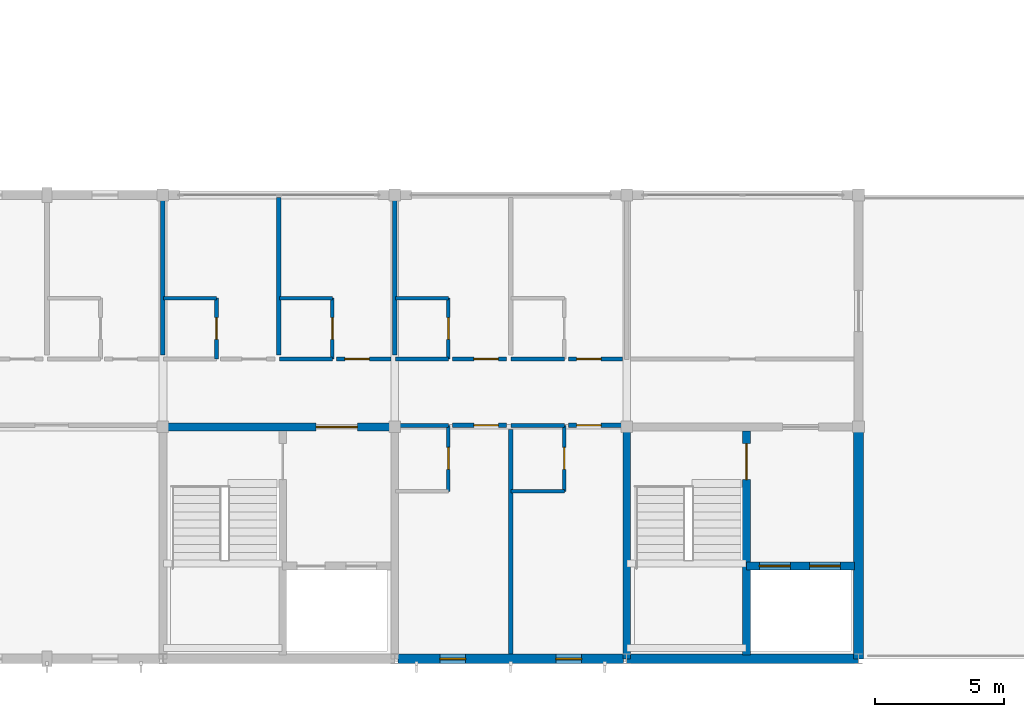
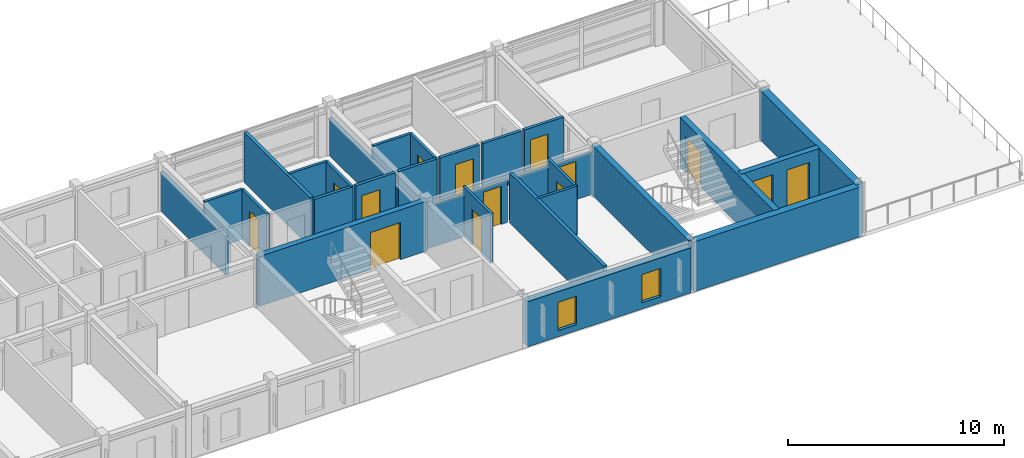
# One storey, part 13 of 24: 30 walls, 14 doors, 2 windows, 16 openings.
"""IFC4 building model written with IfcOpenShell, lengths in metres."""

from ifc_helpers import new_model, si_unit, direction, frame, frame_2d, origin, place, context, subcontext, project, spatial, rectangle, extrude, material, layer, layer_set, type_object, element, fill, save


model = new_model("IFC4")

# Units and contexts
model_context = context("Model", 3, precision=1e-05, world=origin(), true_north=direction((0.0, 1.0)))
body_context = subcontext(model_context, "Body", "Model", "MODEL_VIEW")
ifc_project = project(units=[si_unit("LENGTHUNIT", "METRE"), si_unit("AREAUNIT", "SQUARE_METRE"), si_unit("VOLUMEUNIT", "CUBIC_METRE"), si_unit("PLANEANGLEUNIT", "RADIAN"), si_unit("MASSUNIT", "GRAM", prefix="KILO")], contexts=[model_context])

# Site, building, storey
site_placement = place(None, origin())
site = spatial("IfcSite", under=ifc_project, at=site_placement, CompositionType="ELEMENT")
building_placement = place(site_placement, origin())
building = spatial("IfcBuilding", under=site, at=building_placement, Name="Palais des Congres Ocreval", CompositionType="ELEMENT")
storey_placement = place(building_placement, frame((0.0, 0.0, 17.60009765625)))
storey = spatial("IfcBuildingStorey", under=building, at=storey_placement, Name="L05", CompositionType="ELEMENT", Elevation=17.60009765625)

# Wall, opening, door
ifc_material_1 = material(Name="Moisture-resistant gypsum board")
ifc_layer_1 = layer(ifc_material_1, 0.139892578125)
ifc_layer_set_1 = layer_set([ifc_layer_1], Name="Bathroom Plumbing Chase Wall 140 Gypsum (Moisture-resistant gypsum board)")
wall_type_1 = type_object("IfcWallType", Name="Bathroom Plumbing Chase Wall 140 Gypsum", PredefinedType="PLUMBINGWALL", material=ifc_layer_set_1)
wall_1_placement = place(storey_placement, frame((47.080078125, 6.5, 0.0), z_axis=(0.0, 0.0, 1.0), x_axis=(0.0, 1.0, 0.0)))
wall_1 = element("IfcWall", 1, at=wall_1_placement, inside=storey, type_object=wall_type_1, Name="Bathroom Plumbing Wall PW03 L05", PredefinedType="PLUMBINGWALL", context=body_context, shape_type="SweptSolid", body=[
    extrude(rectangle(XDim=2.56005859375, YDim=0.139892578125, at=frame_2d((1.280029296875, 0.0))), origin(), (0.0, 0.0, 1.0), 2.81982421875),
])
opening_1_placement = place(wall_1_placement, frame((0.85498046875, 0.0, 0.0)))
opening_1 = element("IfcOpeningElement", 2, at=opening_1_placement, cuts=wall_1, Name="Opening D08", PredefinedType="OPENING", context=body_context, shape_type="SweptSolid", body=[
    extrude(rectangle(XDim=0.85009765625, YDim=2.0400390625, at=frame_2d((0.425048828125, 1.02001953125))), frame((0.0, 0.079833984375, 0.0), z_axis=(0.0, -1.0, 0.0), x_axis=(1.0, 0.0, 0.0)), (0.0, 0.0, 1.0), 0.159912109375),
])
ifc_material_2 = material(Name="Solid French oak", Category="wood")
door_type_1 = type_object("IfcDoorType", Name="En-Suite Bathroom Door 850x2040", OperationType="NOTDEFINED", PredefinedType="DOOR", material=ifc_material_2)
door_1_placement = place(opening_1_placement, origin())
door_1 = element("IfcDoor", 3, at=door_1_placement, inside=storey, type_object=door_type_1, Name="En-Suite Bathroom Door D08 L05", OperationType="SINGLE_SWING_LEFT", OverallHeight=2.0400390625, OverallWidth=0.85009765625, PredefinedType="DOOR", context=body_context, shape_type="SweptSolid", body=[
    extrude(rectangle(XDim=0.85009765625, YDim=2.0400390625, at=frame_2d((0.425048828125, 1.02001953125))), frame((0.0, 0.02490234375, 0.0), z_axis=(0.0, -1.0, 0.0), x_axis=(1.0, 0.0, 0.0)), (0.0, 0.0, 1.0), 0.050048828125),
])
fill(opening_1, door_1)

wall_2_placement = place(storey_placement, frame((51.580078125, 6.5, 0.0), z_axis=(0.0, 0.0, 1.0), x_axis=(0.0, 1.0, 0.0)))
wall_2 = element("IfcWall", 4, at=wall_2_placement, inside=storey, type_object=wall_type_1, Name="Bathroom Plumbing Wall PW03 L05", PredefinedType="PLUMBINGWALL", context=body_context, shape_type="SweptSolid", body=[
    extrude(rectangle(XDim=2.56005859375, YDim=0.139892578125, at=frame_2d((1.280029296875, 0.0))), origin(), (0.0, 0.0, 1.0), 2.81982421875),
])
opening_2_placement = place(wall_2_placement, frame((0.85498046875, 0.0, 0.0)))
opening_2 = element("IfcOpeningElement", 5, at=opening_2_placement, cuts=wall_2, Name="Opening D08", PredefinedType="OPENING", context=body_context, shape_type="SweptSolid", body=[
    extrude(rectangle(XDim=0.85009765625, YDim=2.0400390625, at=frame_2d((0.425048828125, 1.02001953125))), frame((0.0, 0.079833984375, 0.0), z_axis=(0.0, -1.0, 0.0), x_axis=(1.0, 0.0, 0.0)), (0.0, 0.0, 1.0), 0.159912109375),
])
door_2_placement = place(opening_2_placement, origin())
door_2 = element("IfcDoor", 6, at=door_2_placement, inside=storey, type_object=door_type_1, Name="En-Suite Bathroom Door D08 L05", OperationType="SINGLE_SWING_RIGHT", OverallHeight=2.0400390625, OverallWidth=0.85009765625, PredefinedType="DOOR", context=body_context, shape_type="SweptSolid", body=[
    extrude(rectangle(XDim=0.85009765625, YDim=2.0400390625, at=frame_2d((0.425048828125, 1.02001953125))), frame((0.0, 0.02490234375, 0.0), z_axis=(0.0, -1.0, 0.0), x_axis=(1.0, 0.0, 0.0)), (0.0, 0.0, 1.0), 0.050048828125),
])
fill(opening_2, door_2)

# Wall
wall_3_placement = place(storey_placement, frame((49.52001953125, 6.5, 0.0), z_axis=(0.0, 0.0, 1.0), x_axis=(1.0, 0.0, 0.0)))
element("IfcWall", 7, at=wall_3_placement, inside=storey, type_object=wall_type_1, Name="Bathroom Plumbing Wall PW03 L05", PredefinedType="PLUMBINGWALL", context=body_context, shape_type="SweptSolid", body=[
    extrude(rectangle(XDim=2.06005859375, YDim=0.139892578125, at=frame_2d((1.030029296875, 0.0))), origin(), (0.0, 0.0, 1.0), 2.81982421875),
])

# Wall, opening, door
wall_4_placement = place(storey_placement, frame((38.080078125, 11.639892578125, 0.0), z_axis=(0.0, 0.0, 1.0), x_axis=(0.0, 1.0, 0.0)))
wall_4 = element("IfcWall", 8, at=wall_4_placement, inside=storey, type_object=wall_type_1, Name="Bathroom Plumbing Wall PW03 L05", PredefinedType="PLUMBINGWALL", context=body_context, shape_type="SweptSolid", body=[
    extrude(rectangle(XDim=2.360107421875, YDim=0.139892578125, at=frame_2d((1.18017578125, 0.0))), origin(), (0.0, 0.0, 1.0), 2.81982421875),
])
opening_3_placement = place(wall_4_placement, frame((0.7548828125, 0.0, 0.0)))
opening_3 = element("IfcOpeningElement", 9, at=opening_3_placement, cuts=wall_4, Name="Opening D08", PredefinedType="OPENING", context=body_context, shape_type="SweptSolid", body=[
    extrude(rectangle(XDim=0.85009765625, YDim=2.0400390625, at=frame_2d((0.425048828125, 1.02001953125))), frame((0.0, 0.079833984375, 0.0), z_axis=(0.0, -1.0, 0.0), x_axis=(1.0, 0.0, 0.0)), (0.0, 0.0, 1.0), 0.159912109375),
])
door_3_placement = place(opening_3_placement, origin())
door_3 = element("IfcDoor", 10, at=door_3_placement, inside=storey, type_object=door_type_1, Name="En-Suite Bathroom Door D08 L05", OperationType="SINGLE_SWING_LEFT", OverallHeight=2.0400390625, OverallWidth=0.85009765625, PredefinedType="DOOR", context=body_context, shape_type="SweptSolid", body=[
    extrude(rectangle(XDim=0.85009765625, YDim=2.0400390625, at=frame_2d((0.425048828125, 1.02001953125))), frame((0.0, 0.02490234375, 0.0), z_axis=(0.0, -1.0, 0.0), x_axis=(1.0, 0.0, 0.0)), (0.0, 0.0, 1.0), 0.050048828125),
])
fill(opening_3, door_3)

# Wall
wall_5_placement = place(storey_placement, frame((36.02001953125, 14.0, 0.0), z_axis=(0.0, 0.0, 1.0), x_axis=(1.0, 0.0, 0.0)))
element("IfcWall", 11, at=wall_5_placement, inside=storey, type_object=wall_type_1, Name="Bathroom Plumbing Wall PW03 L05", PredefinedType="PLUMBINGWALL", context=body_context, shape_type="SweptSolid", body=[
    extrude(rectangle(XDim=2.06005859375, YDim=0.139892578125, at=frame_2d((1.030029296875, 0.0))), origin(), (0.0, 0.0, 1.0), 2.81982421875),
])

# Wall, opening, door
wall_6_placement = place(storey_placement, frame((42.580078125, 11.639892578125, 0.0), z_axis=(0.0, 0.0, 1.0), x_axis=(0.0, 1.0, 0.0)))
wall_6 = element("IfcWall", 12, at=wall_6_placement, inside=storey, type_object=wall_type_1, Name="Bathroom Plumbing Wall PW03 L05", PredefinedType="PLUMBINGWALL", context=body_context, shape_type="SweptSolid", body=[
    extrude(rectangle(XDim=2.360107421875, YDim=0.139892578125, at=frame_2d((1.18017578125, 0.0))), origin(), (0.0, 0.0, 1.0), 2.81982421875),
])
opening_4_placement = place(wall_6_placement, frame((0.7548828125, 0.0, 0.0)))
opening_4 = element("IfcOpeningElement", 13, at=opening_4_placement, cuts=wall_6, Name="Opening D08", PredefinedType="OPENING", context=body_context, shape_type="SweptSolid", body=[
    extrude(rectangle(XDim=0.85009765625, YDim=2.0400390625, at=frame_2d((0.425048828125, 1.02001953125))), frame((0.0, 0.079833984375, 0.0), z_axis=(0.0, -1.0, 0.0), x_axis=(1.0, 0.0, 0.0)), (0.0, 0.0, 1.0), 0.159912109375),
])
door_4_placement = place(opening_4_placement, origin())
door_4 = element("IfcDoor", 14, at=door_4_placement, inside=storey, type_object=door_type_1, Name="En-Suite Bathroom Door D08 L05", OperationType="SINGLE_SWING_RIGHT", OverallHeight=2.0400390625, OverallWidth=0.85009765625, PredefinedType="DOOR", context=body_context, shape_type="SweptSolid", body=[
    extrude(rectangle(XDim=0.85009765625, YDim=2.0400390625, at=frame_2d((0.425048828125, 1.02001953125))), frame((0.0, 0.02490234375, 0.0), z_axis=(0.0, -1.0, 0.0), x_axis=(1.0, 0.0, 0.0)), (0.0, 0.0, 1.0), 0.050048828125),
])
fill(opening_4, door_4)

# Wall
wall_7_placement = place(storey_placement, frame((40.52001953125, 14.0, 0.0), z_axis=(0.0, 0.0, 1.0), x_axis=(1.0, 0.0, 0.0)))
element("IfcWall", 15, at=wall_7_placement, inside=storey, type_object=wall_type_1, Name="Bathroom Plumbing Wall PW03 L05", PredefinedType="PLUMBINGWALL", context=body_context, shape_type="SweptSolid", body=[
    extrude(rectangle(XDim=2.06005859375, YDim=0.139892578125, at=frame_2d((1.030029296875, 0.0))), origin(), (0.0, 0.0, 1.0), 2.81982421875),
])

# Wall, opening, door
wall_8_placement = place(storey_placement, frame((47.080078125, 11.639892578125, 0.0), z_axis=(0.0, 0.0, 1.0), x_axis=(0.0, 1.0, 0.0)))
wall_8 = element("IfcWall", 16, at=wall_8_placement, inside=storey, type_object=wall_type_1, Name="Bathroom Plumbing Wall PW03 L05", PredefinedType="PLUMBINGWALL", context=body_context, shape_type="SweptSolid", body=[
    extrude(rectangle(XDim=2.360107421875, YDim=0.139892578125, at=frame_2d((1.18017578125, 0.0))), origin(), (0.0, 0.0, 1.0), 2.81982421875),
])
opening_5_placement = place(wall_8_placement, frame((0.7548828125, 0.0, 0.0)))
opening_5 = element("IfcOpeningElement", 17, at=opening_5_placement, cuts=wall_8, Name="Opening D08", PredefinedType="OPENING", context=body_context, shape_type="SweptSolid", body=[
    extrude(rectangle(XDim=0.85009765625, YDim=2.0400390625, at=frame_2d((0.425048828125, 1.02001953125))), frame((0.0, 0.079833984375, 0.0), z_axis=(0.0, -1.0, 0.0), x_axis=(1.0, 0.0, 0.0)), (0.0, 0.0, 1.0), 0.159912109375),
])
door_5_placement = place(opening_5_placement, origin())
door_5 = element("IfcDoor", 18, at=door_5_placement, inside=storey, type_object=door_type_1, Name="En-Suite Bathroom Door D08 L05", OperationType="SINGLE_SWING_LEFT", OverallHeight=2.0400390625, OverallWidth=0.85009765625, PredefinedType="DOOR", context=body_context, shape_type="SweptSolid", body=[
    extrude(rectangle(XDim=0.85009765625, YDim=2.0400390625, at=frame_2d((0.425048828125, 1.02001953125))), frame((0.0, 0.02490234375, 0.0), z_axis=(0.0, -1.0, 0.0), x_axis=(1.0, 0.0, 0.0)), (0.0, 0.0, 1.0), 0.050048828125),
])
fill(opening_5, door_5)

# Wall
wall_9_placement = place(storey_placement, frame((45.02001953125, 14.0, 0.0), z_axis=(0.0, 0.0, 1.0), x_axis=(1.0, 0.0, 0.0)))
element("IfcWall", 19, at=wall_9_placement, inside=storey, type_object=wall_type_1, Name="Bathroom Plumbing Wall PW03 L05", PredefinedType="PLUMBINGWALL", context=body_context, shape_type="SweptSolid", body=[
    extrude(rectangle(XDim=2.06005859375, YDim=0.139892578125, at=frame_2d((1.030029296875, 0.0))), origin(), (0.0, 0.0, 1.0), 2.81982421875),
])

# Wall, opening, door
ifc_material_3 = material(Name="Concrete C40/50", Category="concrete")
ifc_layer_2 = layer(ifc_material_3, 0.300048828125)
ifc_layer_set_2 = layer_set([ifc_layer_2], Name="Core Shear Wall 300 Concrete C40/50")
wall_type_2 = type_object("IfcWallType", Name="Core Shear Wall 300 Concrete C40/50", PredefinedType="SHEAR", material=ifc_layer_set_2)
wall_10_placement = place(storey_placement, frame((36.0, 9.0, 0.0), z_axis=(0.0, 0.0, 1.0), x_axis=(1.0, 0.0, 0.0)))
wall_10 = element("IfcWall", 20, at=wall_10_placement, inside=storey, type_object=wall_type_2, Name="Core Shear Wall SC02 L05 N", PredefinedType="SHEAR", context=body_context, shape_type="SweptSolid", body=[
    extrude(rectangle(XDim=9.0, YDim=0.300048828125, at=frame_2d((4.5, 0.0))), origin(), (0.0, 0.0, 1.0), 2.81982421875),
])
opening_6_placement = place(wall_10_placement, frame((5.949951171875, 0.0, 0.0)))
opening_6 = element("IfcOpeningElement", 21, at=opening_6_placement, cuts=wall_10, Name="Opening D02", PredefinedType="OPENING", context=body_context, shape_type="SweptSolid", body=[
    extrude(rectangle(XDim=1.60009765625, YDim=2.10009765625, at=frame_2d((0.800048828125, 1.050048828125))), frame((0.0, 0.159912109375, 0.0), z_axis=(0.0, -1.0, 0.0), x_axis=(1.0, 0.0, 0.0)), (0.0, 0.0, 1.0), 0.320068359375),
])
ifc_material_4 = material(Name="Painted fire-rated steel", Category="steel")
door_type_2 = type_object("IfcDoorType", Name="Firefighting Lobby Rated Door 1600x2100", OperationType="NOTDEFINED", PredefinedType="DOOR", material=ifc_material_4)
door_6_placement = place(opening_6_placement, origin())
door_6 = element("IfcDoor", 22, at=door_6_placement, inside=storey, type_object=door_type_2, Name="Firefighting Lobby Entrance Door SC02 L05", OperationType="DOUBLE_DOOR_SINGLE_SWING", OverallHeight=2.10009765625, OverallWidth=1.60009765625, PredefinedType="DOOR", context=body_context, shape_type="SweptSolid", body=[
    extrude(rectangle(XDim=1.60009765625, YDim=2.10009765625, at=frame_2d((0.800048828125, 1.050048828125))), frame((0.0, 0.02490234375, 0.0), z_axis=(0.0, -1.0, 0.0), x_axis=(1.0, 0.0, 0.0)), (0.0, 0.0, 1.0), 0.050048828125),
])
fill(opening_6, door_6)

# Wall
wall_11_placement = place(storey_placement, frame((54.0, 0.0, 0.0), z_axis=(0.0, 0.0, 1.0), x_axis=(0.0, 1.0, 0.0)))
element("IfcWall", 23, at=wall_11_placement, inside=storey, type_object=wall_type_2, Name="Core Shear Wall SC04 L05 W", PredefinedType="SHEAR", context=body_context, shape_type="SweptSolid", body=[
    extrude(rectangle(XDim=9.0, YDim=0.300048828125, at=frame_2d((4.5, 0.0))), origin(), (0.0, 0.0, 1.0), 2.81982421875),
])

# Wall, opening, door
wall_12_placement = place(storey_placement, frame((58.64990234375, 0.14990234375, 0.0), z_axis=(0.0, 0.0, 1.0), x_axis=(0.0, 1.0, 0.0)))
wall_12 = element("IfcWall", 24, at=wall_12_placement, inside=storey, type_object=wall_type_2, Name="Core Spine Shear Wall SC04 L05", PredefinedType="SHEAR", context=body_context, shape_type="SweptSolid", body=[
    extrude(rectangle(XDim=8.7001953125, YDim=0.300048828125, at=frame_2d((4.35009765625, 0.0))), origin(), (0.0, 0.0, 1.0), 2.81982421875),
])
opening_7_placement = place(wall_12_placement, frame((6.800048828125, 0.0, 0.0)))
opening_7 = element("IfcOpeningElement", 25, at=opening_7_placement, cuts=wall_12, Name="Opening D03", PredefinedType="OPENING", context=body_context, shape_type="SweptSolid", body=[
    extrude(rectangle(XDim=1.39990234375, YDim=2.02001953125, at=frame_2d((0.699951171875, 1.010009765625))), frame((0.0, 0.159912109375, 0.0), z_axis=(0.0, -1.0, 0.0), x_axis=(1.0, 0.0, 0.0)), (0.0, 0.0, 1.0), 0.320068359375),
])
door_type_3 = type_object("IfcDoorType", Name="Core Lobby Rated Door 1400x2020", OperationType="NOTDEFINED", PredefinedType="DOOR", material=ifc_material_4)
door_7_placement = place(opening_7_placement, origin())
door_7 = element("IfcDoor", 26, at=door_7_placement, inside=storey, type_object=door_type_3, Name="Protected Exit Stair Door ST04 L05", OperationType="SINGLE_SWING_RIGHT", OverallHeight=2.02001953125, OverallWidth=1.39990234375, PredefinedType="DOOR", context=body_context, shape_type="SweptSolid", body=[
    extrude(rectangle(XDim=1.39990234375, YDim=2.02001953125, at=frame_2d((0.699951171875, 1.010009765625))), frame((0.0, 0.02490234375, 0.0), z_axis=(0.0, -1.0, 0.0), x_axis=(1.0, 0.0, 0.0)), (0.0, 0.0, 1.0), 0.050048828125),
])
fill(opening_7, door_7)

# Wall, openings, doors
wall_13_placement = place(storey_placement, frame((58.64990234375, 3.60009765625, 0.0), z_axis=(0.0, 0.0, 1.0), x_axis=(1.0, 0.0, 0.0)))
wall_13 = element("IfcWall", 27, at=wall_13_placement, inside=storey, type_object=wall_type_2, Name="Lift Shaft Front Wall SC04 L05", PredefinedType="SHEAR", context=body_context, shape_type="SweptSolid", body=[
    extrude(rectangle(XDim=4.2001953125, YDim=0.300048828125, at=frame_2d((2.10009765625, 0.0))), origin(), (0.0, 0.0, 1.0), 2.81982421875),
])
opening_8_placement = place(wall_13_placement, frame((0.5, 0.0, 0.0)))
opening_8 = element("IfcOpeningElement", 28, at=opening_8_placement, cuts=wall_13, Name="Opening LD02", PredefinedType="OPENING", context=body_context, shape_type="SweptSolid", body=[
    extrude(rectangle(XDim=1.199951171875, YDim=2.199951171875, at=frame_2d((0.60009765625, 1.10009765625))), frame((0.0, 0.159912109375, 0.0), z_axis=(0.0, -1.0, 0.0), x_axis=(1.0, 0.0, 0.0)), (0.0, 0.0, 1.0), 0.320068359375),
])
opening_9_placement = place(wall_13_placement, frame((2.449951171875, 0.0, 0.0)))
opening_9 = element("IfcOpeningElement", 29, at=opening_9_placement, cuts=wall_13, Name="Opening LD02", PredefinedType="OPENING", context=body_context, shape_type="SweptSolid", body=[
    extrude(rectangle(XDim=1.199951171875, YDim=2.199951171875, at=frame_2d((0.60009765625, 1.10009765625))), frame((0.0, 0.159912109375, 0.0), z_axis=(0.0, -1.0, 0.0), x_axis=(1.0, 0.0, 0.0)), (0.0, 0.0, 1.0), 0.320068359375),
])
ifc_material_5 = material(Name="Anodized bronze steel", Category="steel")
door_type_4 = type_object("IfcDoorType", Name="Passenger and Service Lift Sliding Door 1200x2200", OperationType="NOTDEFINED", PredefinedType="DOOR", material=ifc_material_5)
door_8_placement = place(opening_8_placement, origin())
door_8 = element("IfcDoor", 30, at=door_8_placement, inside=storey, type_object=door_type_4, Name="Lift Landing Sliding Door PL4 L05", OperationType="DOUBLE_DOOR_SLIDING", OverallHeight=2.199951171875, OverallWidth=1.199951171875, PredefinedType="DOOR", context=body_context, shape_type="SweptSolid", body=[
    extrude(rectangle(XDim=1.199951171875, YDim=2.199951171875, at=frame_2d((0.60009765625, 1.10009765625))), frame((0.0, 0.02490234375, 0.0), z_axis=(0.0, -1.0, 0.0), x_axis=(1.0, 0.0, 0.0)), (0.0, 0.0, 1.0), 0.050048828125),
])
fill(opening_8, door_8)
door_9_placement = place(opening_9_placement, origin())
door_9 = element("IfcDoor", 31, at=door_9_placement, inside=storey, type_object=door_type_4, Name="Lift Landing Sliding Door BL1 L05", OperationType="DOUBLE_DOOR_SLIDING", OverallHeight=2.199951171875, OverallWidth=1.199951171875, PredefinedType="DOOR", context=body_context, shape_type="SweptSolid", body=[
    extrude(rectangle(XDim=1.199951171875, YDim=2.199951171875, at=frame_2d((0.60009765625, 1.10009765625))), frame((0.0, 0.02490234375, 0.0), z_axis=(0.0, -1.0, 0.0), x_axis=(1.0, 0.0, 0.0)), (0.0, 0.0, 1.0), 0.050048828125),
])
fill(opening_9, door_9)

# Walls
ifc_material_6 = material(Name="Gypsum acoustic partition")
ifc_layer_3 = layer(ifc_material_6, 0.159912109375)
ifc_layer_set_3 = layer_set([ifc_layer_3], Name="Corridor Fire Partition 160 Gypsum (Gypsum acoustic partition)")
wall_type_3 = type_object("IfcWallType", Name="Corridor Fire Partition 160 Gypsum", PredefinedType="PARTITIONING", material=ifc_layer_set_3)
for number, where, z_axis, x_axis, name in (
    (32, (45.02001953125, 9.06005859375, 0.0), (0.0, 0.0, 1.0), (1.0, 0.0, 0.0), "Corridor Partition IW03 L05"),
    (33, (49.52001953125, 9.06005859375, 0.0), (0.0, 0.0, 1.0), (1.0, 0.0, 0.0), "Corridor Partition IW03 L05"),
):
    element("IfcWall", number, at=place(storey_placement, frame(where, z_axis=z_axis, x_axis=x_axis)), inside=storey, type_object=wall_type_3, Name=name, PredefinedType="PARTITIONING", context=body_context, shape_type="SweptSolid", body=[
        extrude(rectangle(XDim=2.06005859375, YDim=0.159912109375, at=frame_2d((1.030029296875, 0.0))), origin(), (0.0, 0.0, 1.0), 2.3798828125),
    ])
for number, where, z_axis, x_axis, name in (
    (34, (40.52001953125, 11.639892578125, 0.0), (0.0, 0.0, 1.0), (1.0, 0.0, 0.0), "Corridor Partition IW03 L05"),
    (35, (45.02001953125, 11.639892578125, 0.0), (0.0, 0.0, 1.0), (1.0, 0.0, 0.0), "Corridor Partition IW03 L05"),
    (36, (49.52001953125, 11.639892578125, 0.0), (0.0, 0.0, 1.0), (1.0, 0.0, 0.0), "Corridor Partition IW03 L05"),
):
    element("IfcWall", number, at=place(storey_placement, frame(where, z_axis=z_axis, x_axis=x_axis)), inside=storey, type_object=wall_type_3, Name=name, PredefinedType="PARTITIONING", context=body_context, shape_type="SweptSolid", body=[
        extrude(rectangle(XDim=2.06005859375, YDim=0.159912109375, at=frame_2d((1.030029296875, 0.0))), origin(), (0.0, 0.0, 1.0), 2.81982421875),
    ])

# Wall, opening, door
wall_14_placement = place(storey_placement, frame((47.235107421875, 9.06494140625, 0.0), z_axis=(0.0, 0.0, 1.0), x_axis=(1.0, 0.0, 0.0)))
wall_14 = element("IfcWall", 37, at=wall_14_placement, inside=storey, type_object=wall_type_3, Name="Interior Partition IW03 L05", PredefinedType="PARTITIONING", context=body_context, shape_type="SweptSolid", body=[
    extrude(rectangle(XDim=2.10986328125, YDim=0.159912109375, at=frame_2d((1.054931640625, 0.0))), origin(), (0.0, 0.0, 1.0), 2.3798828125),
])
opening_10_placement = place(wall_14_placement, frame((0.833251953125, 0.0, 0.0)))
opening_10 = element("IfcOpeningElement", 38, at=opening_10_placement, cuts=wall_14, Name="Opening D05", PredefinedType="OPENING", context=body_context, shape_type="SweptSolid", body=[
    extrude(rectangle(XDim=0.949951171875, YDim=2.14990234375, at=frame_2d((0.47509765625, 1.074951171875))), frame((0.0, 0.08984375, 0.0), z_axis=(0.0, -1.0, 0.0), x_axis=(1.0, 0.0, 0.0)), (0.0, 0.0, 1.0), 0.179931640625),
])
door_type_5 = type_object("IfcDoorType", Name="Hotel Guestroom Entrance Door 950x2150", OperationType="NOTDEFINED", PredefinedType="DOOR", material=ifc_material_2)
door_10_placement = place(opening_10_placement, origin())
door_10 = element("IfcDoor", 39, at=door_10_placement, inside=storey, type_object=door_type_5, Name="Interior Door D05 L05", OperationType="SINGLE_SWING_LEFT", OverallHeight=2.14990234375, OverallWidth=0.949951171875, PredefinedType="DOOR", context=body_context, shape_type="SweptSolid", body=[
    extrude(rectangle(XDim=0.949951171875, YDim=2.14990234375, at=frame_2d((0.47509765625, 1.074951171875))), frame((0.0, 0.02490234375, 0.0), z_axis=(0.0, -1.0, 0.0), x_axis=(1.0, 0.0, 0.0)), (0.0, 0.0, 1.0), 0.050048828125),
])
fill(opening_10, door_10)

wall_15_placement = place(storey_placement, frame((51.735107421875, 9.06494140625, 0.0), z_axis=(0.0, 0.0, 1.0), x_axis=(1.0, 0.0, 0.0)))
wall_15 = element("IfcWall", 40, at=wall_15_placement, inside=storey, type_object=wall_type_3, Name="Interior Partition IW03 L05", PredefinedType="PARTITIONING", context=body_context, shape_type="SweptSolid", body=[
    extrude(rectangle(XDim=2.10986328125, YDim=0.159912109375, at=frame_2d((1.054931640625, 0.0))), origin(), (0.0, 0.0, 1.0), 2.3798828125),
])
opening_11_placement = place(wall_15_placement, frame((0.326904296875, 0.0, 0.0)))
opening_11 = element("IfcOpeningElement", 41, at=opening_11_placement, cuts=wall_15, Name="Opening D05", PredefinedType="OPENING", context=body_context, shape_type="SweptSolid", body=[
    extrude(rectangle(XDim=0.949951171875, YDim=2.14990234375, at=frame_2d((0.47509765625, 1.074951171875))), frame((0.0, 0.08984375, 0.0), z_axis=(0.0, -1.0, 0.0), x_axis=(1.0, 0.0, 0.0)), (0.0, 0.0, 1.0), 0.179931640625),
])
door_11_placement = place(opening_11_placement, origin())
door_11 = element("IfcDoor", 42, at=door_11_placement, inside=storey, type_object=door_type_5, Name="Interior Door D05 L05", OperationType="SINGLE_SWING_RIGHT", OverallHeight=2.14990234375, OverallWidth=0.949951171875, PredefinedType="DOOR", context=body_context, shape_type="SweptSolid", body=[
    extrude(rectangle(XDim=0.949951171875, YDim=2.14990234375, at=frame_2d((0.47509765625, 1.074951171875))), frame((0.0, 0.02490234375, 0.0), z_axis=(0.0, -1.0, 0.0), x_axis=(1.0, 0.0, 0.0)), (0.0, 0.0, 1.0), 0.050048828125),
])
fill(opening_11, door_11)

wall_16_placement = place(storey_placement, frame((42.735107421875, 11.635009765625, 0.0), z_axis=(0.0, 0.0, 1.0), x_axis=(1.0, 0.0, 0.0)))
wall_16 = element("IfcWall", 43, at=wall_16_placement, inside=storey, type_object=wall_type_3, Name="Interior Partition IW03 L05", PredefinedType="PARTITIONING", context=body_context, shape_type="SweptSolid", body=[
    extrude(rectangle(XDim=2.10986328125, YDim=0.159912109375, at=frame_2d((1.054931640625, 0.0))), origin(), (0.0, 0.0, 1.0), 2.81982421875),
])
opening_12_placement = place(wall_16_placement, frame((0.326904296875, 0.0, 0.0)))
opening_12 = element("IfcOpeningElement", 44, at=opening_12_placement, cuts=wall_16, Name="Opening D05", PredefinedType="OPENING", context=body_context, shape_type="SweptSolid", body=[
    extrude(rectangle(XDim=0.949951171875, YDim=2.14990234375, at=frame_2d((0.47509765625, 1.074951171875))), frame((0.0, 0.08984375, 0.0), z_axis=(0.0, -1.0, 0.0), x_axis=(1.0, 0.0, 0.0)), (0.0, 0.0, 1.0), 0.179931640625),
])
door_12_placement = place(opening_12_placement, origin())
door_12 = element("IfcDoor", 45, at=door_12_placement, inside=storey, type_object=door_type_5, Name="Interior Door D05 L05", OperationType="SINGLE_SWING_LEFT", OverallHeight=2.14990234375, OverallWidth=0.949951171875, PredefinedType="DOOR", context=body_context, shape_type="SweptSolid", body=[
    extrude(rectangle(XDim=0.949951171875, YDim=2.14990234375, at=frame_2d((0.47509765625, 1.074951171875))), frame((0.0, 0.02490234375, 0.0), z_axis=(0.0, -1.0, 0.0), x_axis=(1.0, 0.0, 0.0)), (0.0, 0.0, 1.0), 0.050048828125),
])
fill(opening_12, door_12)

wall_17_placement = place(storey_placement, frame((47.235107421875, 11.635009765625, 0.0), z_axis=(0.0, 0.0, 1.0), x_axis=(1.0, 0.0, 0.0)))
wall_17 = element("IfcWall", 46, at=wall_17_placement, inside=storey, type_object=wall_type_3, Name="Interior Partition IW03 L05", PredefinedType="PARTITIONING", context=body_context, shape_type="SweptSolid", body=[
    extrude(rectangle(XDim=2.10986328125, YDim=0.159912109375, at=frame_2d((1.054931640625, 0.0))), origin(), (0.0, 0.0, 1.0), 2.81982421875),
])
opening_13_placement = place(wall_17_placement, frame((0.833251953125, 0.0, 0.0)))
opening_13 = element("IfcOpeningElement", 47, at=opening_13_placement, cuts=wall_17, Name="Opening D05", PredefinedType="OPENING", context=body_context, shape_type="SweptSolid", body=[
    extrude(rectangle(XDim=0.949951171875, YDim=2.14990234375, at=frame_2d((0.47509765625, 1.074951171875))), frame((0.0, 0.08984375, 0.0), z_axis=(0.0, -1.0, 0.0), x_axis=(1.0, 0.0, 0.0)), (0.0, 0.0, 1.0), 0.179931640625),
])
door_13_placement = place(opening_13_placement, origin())
door_13 = element("IfcDoor", 48, at=door_13_placement, inside=storey, type_object=door_type_5, Name="Interior Door D05 L05", OperationType="SINGLE_SWING_RIGHT", OverallHeight=2.14990234375, OverallWidth=0.949951171875, PredefinedType="DOOR", context=body_context, shape_type="SweptSolid", body=[
    extrude(rectangle(XDim=0.949951171875, YDim=2.14990234375, at=frame_2d((0.47509765625, 1.074951171875))), frame((0.0, 0.02490234375, 0.0), z_axis=(0.0, -1.0, 0.0), x_axis=(1.0, 0.0, 0.0)), (0.0, 0.0, 1.0), 0.050048828125),
])
fill(opening_13, door_13)

wall_18_placement = place(storey_placement, frame((51.735107421875, 11.635009765625, 0.0), z_axis=(0.0, 0.0, 1.0), x_axis=(1.0, 0.0, 0.0)))
wall_18 = element("IfcWall", 49, at=wall_18_placement, inside=storey, type_object=wall_type_3, Name="Interior Partition IW03 L05", PredefinedType="PARTITIONING", context=body_context, shape_type="SweptSolid", body=[
    extrude(rectangle(XDim=2.10986328125, YDim=0.159912109375, at=frame_2d((1.054931640625, 0.0))), origin(), (0.0, 0.0, 1.0), 2.81982421875),
])
opening_14_placement = place(wall_18_placement, frame((0.326904296875, 0.0, 0.0)))
opening_14 = element("IfcOpeningElement", 50, at=opening_14_placement, cuts=wall_18, Name="Opening D05", PredefinedType="OPENING", context=body_context, shape_type="SweptSolid", body=[
    extrude(rectangle(XDim=0.949951171875, YDim=2.14990234375, at=frame_2d((0.47509765625, 1.074951171875))), frame((0.0, 0.08984375, 0.0), z_axis=(0.0, -1.0, 0.0), x_axis=(1.0, 0.0, 0.0)), (0.0, 0.0, 1.0), 0.179931640625),
])
door_14_placement = place(opening_14_placement, origin())
door_14 = element("IfcDoor", 51, at=door_14_placement, inside=storey, type_object=door_type_5, Name="Interior Door D05 L05", OperationType="SINGLE_SWING_LEFT", OverallHeight=2.14990234375, OverallWidth=0.949951171875, PredefinedType="DOOR", context=body_context, shape_type="SweptSolid", body=[
    extrude(rectangle(XDim=0.949951171875, YDim=2.14990234375, at=frame_2d((0.47509765625, 1.074951171875))), frame((0.0, 0.02490234375, 0.0), z_axis=(0.0, -1.0, 0.0), x_axis=(1.0, 0.0, 0.0)), (0.0, 0.0, 1.0), 0.050048828125),
])
fill(opening_14, door_14)

# Walls
ifc_layer_4 = layer(ifc_material_6, 0.179931640625)
ifc_layer_set_4 = layer_set([ifc_layer_4], Name="Hotel Inter-Room Acoustic Partition 180 Gypsum (Gypsum acoustic partition)")
wall_type_4 = type_object("IfcWallType", Name="Hotel Inter-Room Acoustic Partition 180 Gypsum", PredefinedType="PARTITIONING", material=ifc_layer_set_4)
wall_19_placement = place(storey_placement, frame((49.5, 0.195068359375, 0.0), z_axis=(0.0, 0.0, 1.0), x_axis=(0.0, 1.0, 0.0)))
element("IfcWall", 52, at=wall_19_placement, inside=storey, type_object=wall_type_4, Name="Hotel Party Partition IW02 L05", PredefinedType="PARTITIONING", context=body_context, shape_type="SweptSolid", body=[
    extrude(rectangle(XDim=8.7099609375, YDim=0.179931640625, at=frame_2d((4.35498046875, 0.0))), origin(), (0.0, 0.0, 1.0), 2.81982421875),
])
wall_20_placement = place(storey_placement, frame((36.0, 11.794921875, 0.0), z_axis=(0.0, 0.0, 1.0), x_axis=(0.0, 1.0, 0.0)))
element("IfcWall", 53, at=wall_20_placement, inside=storey, type_object=wall_type_4, Name="Hotel Party Partition IW02 L05", PredefinedType="PARTITIONING", context=body_context, shape_type="SweptSolid", body=[
    extrude(rectangle(XDim=6.030029296875, YDim=0.179931640625, at=frame_2d((3.01513671875, 0.0))), origin(), (0.0, 0.0, 1.0), 2.18994140625),
])
wall_21_placement = place(storey_placement, frame((40.5, 11.794921875, 0.0), z_axis=(0.0, 0.0, 1.0), x_axis=(0.0, 1.0, 0.0)))
element("IfcWall", 54, at=wall_21_placement, inside=storey, type_object=wall_type_4, Name="Hotel Party Partition IW02 L05", PredefinedType="PARTITIONING", context=body_context, shape_type="SweptSolid", body=[
    extrude(rectangle(XDim=6.110107421875, YDim=0.179931640625, at=frame_2d((3.05517578125, 0.0))), origin(), (0.0, 0.0, 1.0), 2.81982421875),
])
wall_22_placement = place(storey_placement, frame((45.0, 11.794921875, 0.0), z_axis=(0.0, 0.0, 1.0), x_axis=(0.0, 1.0, 0.0)))
element("IfcWall", 55, at=wall_22_placement, inside=storey, type_object=wall_type_4, Name="Hotel Party Partition IW02 L05", PredefinedType="PARTITIONING", context=body_context, shape_type="SweptSolid", body=[
    extrude(rectangle(XDim=6.030029296875, YDim=0.179931640625, at=frame_2d((3.01513671875, 0.0))), origin(), (0.0, 0.0, 1.0), 2.08984375),
])
ifc_layer_5 = layer(ifc_material_3, 0.3798828125)
ifc_layer_set_5 = layer_set([ifc_layer_5], Name="Lutetian Limestone Street Wall 380 Concrete C40/50")
wall_type_5 = type_object("IfcWallType", Name="Lutetian Limestone Street Wall 380 Concrete C40/50", PredefinedType="SOLIDWALL", material=ifc_layer_set_5)
for number, where, z_axis, x_axis, name in (
    (56, (63.0, 9.0, 0.0), (0.0, 0.0, 1.0), (0.0, -1.0, 0.0), "Core Perimeter Shear Wall EW03 SC04 L05"),
    (57, (63.0, 0.0, 0.0), (0.0, 0.0, 1.0), (-1.0, 0.0, 0.0), "Core Perimeter Shear Wall EW03 SC04 L05"),
):
    element("IfcWall", number, at=place(storey_placement, frame(where, z_axis=z_axis, x_axis=x_axis)), inside=storey, type_object=wall_type_5, Name=name, PredefinedType="SOLIDWALL", context=body_context, shape_type="SweptSolid", body=[
        extrude(rectangle(XDim=9.0, YDim=0.3798828125, at=frame_2d((4.5, 0.0))), origin(), (0.0, 0.0, 1.0), 2.81982421875),
    ])

# Wall, openings, windows
wall_23_placement = place(storey_placement, frame((53.8701171875, 0.0, 0.0), z_axis=(0.0, 0.0, 1.0), x_axis=(-1.0, 0.0, 0.0)))
wall_23 = element("IfcWall", 58, at=wall_23_placement, inside=storey, type_object=wall_type_5, Name="Exterior Wall EW03 L05", PredefinedType="SOLIDWALL", context=body_context, shape_type="SweptSolid", body=[
    extrude(rectangle(XDim=8.740234375, YDim=0.3798828125, at=frame_2d((4.3701171875, 0.0))), origin(), (0.0, 0.0, 1.0), 2.5498046875),
])
opening_15_placement = place(wall_23_placement, frame((1.6201171875, 0.0, 0.35009765625)))
opening_15 = element("IfcOpeningElement", 59, at=opening_15_placement, cuts=wall_23, Name="Opening WN18", PredefinedType="OPENING", context=body_context, shape_type="SweptSolid", body=[
    extrude(rectangle(XDim=1.0, YDim=1.60009765625, at=frame_2d((0.5, 0.800048828125))), frame((0.0, 0.199951171875, 0.0), z_axis=(0.0, -1.0, 0.0), x_axis=(1.0, 0.0, 0.0)), (0.0, 0.0, 1.0), 0.39990234375),
])
opening_16_placement = place(wall_23_placement, frame((6.1201171875, 0.0, 0.35009765625)))
opening_16 = element("IfcOpeningElement", 60, at=opening_16_placement, cuts=wall_23, Name="Opening WN18", PredefinedType="OPENING", context=body_context, shape_type="SweptSolid", body=[
    extrude(rectangle(XDim=1.0, YDim=1.60009765625, at=frame_2d((0.5, 0.800048828125))), frame((0.0, 0.199951171875, 0.0), z_axis=(0.0, -1.0, 0.0), x_axis=(1.0, 0.0, 0.0)), (0.0, 0.0, 1.0), 0.39990234375),
])
ifc_material_7 = material(Name="Anodized bronze aluminium and low-E glass", Category="glass")
window_type = type_object("IfcWindowType", Name="Stair and Lobby Daylight Window 1000x1600", PartitioningType="SINGLE_PANEL", PredefinedType="WINDOW", material=ifc_material_7)
window_1_placement = place(opening_15_placement, origin())
window_1 = element("IfcWindow", 61, at=window_1_placement, inside=storey, type_object=window_type, Name="Hotel Facade Window WN18", OverallHeight=1.60009765625, OverallWidth=1.0, PartitioningType="SINGLE_PANEL", PredefinedType="WINDOW", context=body_context, shape_type="SweptSolid", body=[
    extrude(rectangle(XDim=1.0, YDim=1.60009765625, at=frame_2d((0.5, 0.800048828125))), frame((0.0, 0.030029296875, 0.0), z_axis=(0.0, -1.0, 0.0), x_axis=(1.0, 0.0, 0.0)), (0.0, 0.0, 1.0), 0.06005859375),
])
fill(opening_15, window_1)
window_2_placement = place(opening_16_placement, origin())
window_2 = element("IfcWindow", 62, at=window_2_placement, inside=storey, type_object=window_type, Name="Hotel Facade Window WN18", OverallHeight=1.60009765625, OverallWidth=1.0, PartitioningType="SINGLE_PANEL", PredefinedType="WINDOW", context=body_context, shape_type="SweptSolid", body=[
    extrude(rectangle(XDim=1.0, YDim=1.60009765625, at=frame_2d((0.5, 0.800048828125))), frame((0.0, 0.030029296875, 0.0), z_axis=(0.0, -1.0, 0.0), x_axis=(1.0, 0.0, 0.0)), (0.0, 0.0, 1.0), 0.06005859375),
])
fill(opening_16, window_2)

save(model, "model.ifc")
